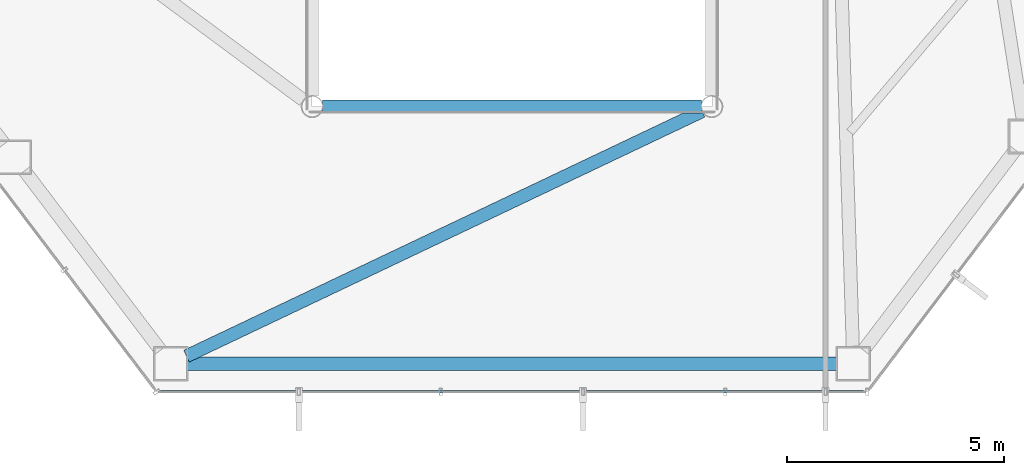
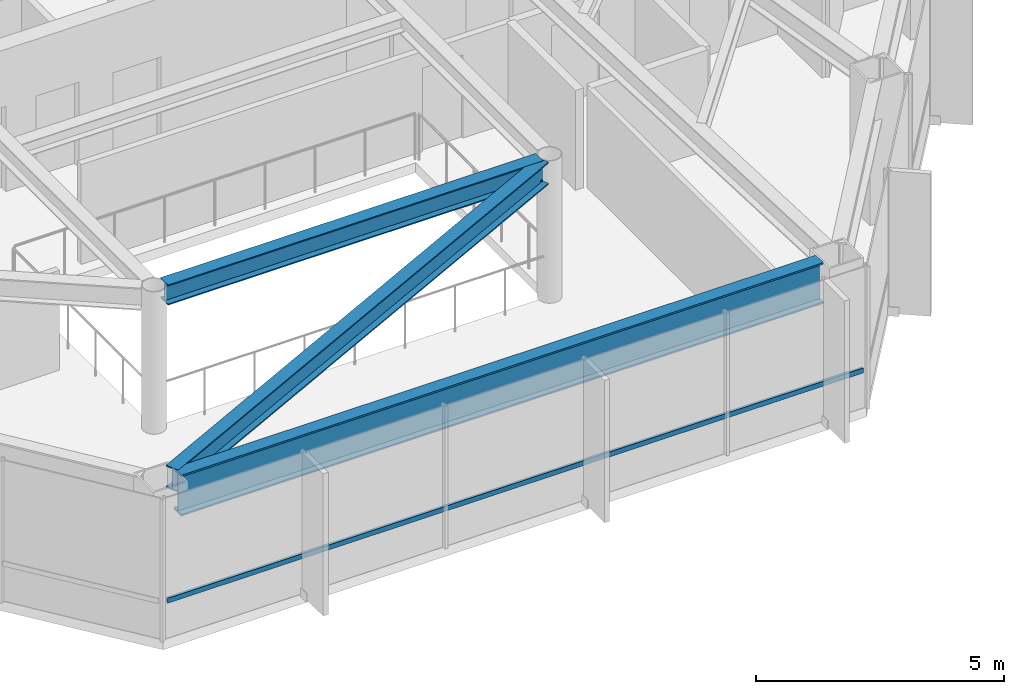
# One storey, part 7 of 28: 3 beams, 1 member, 1 element without a shape of its own.
"""IFC4 building model written with IfcOpenShell, lengths in metres."""

from ifc_helpers import new_model, si_unit, direction, frame, origin, origin_2d, place, context, subcontext, project, spatial, hollow_rectangle, i_section, extrude, material, layer, layer_set, material_profile, profile_set, type_object, element, aggregate, save


model = new_model("IFC4")

# Units and contexts
model_context = context("Model", 3, precision=1e-05, world=origin(), true_north=direction((0.0, 1.0)))
body_context = subcontext(model_context, "Body", "Model", "MODEL_VIEW")
ifc_project = project(units=[si_unit("LENGTHUNIT", "METRE"), si_unit("AREAUNIT", "SQUARE_METRE"), si_unit("VOLUMEUNIT", "CUBIC_METRE"), si_unit("PLANEANGLEUNIT", "RADIAN"), si_unit("MASSUNIT", "GRAM", prefix="KILO")], contexts=[model_context])

# Site, building, storey
site_placement = place(None, origin())
site = spatial("IfcSite", under=ifc_project, at=site_placement, CompositionType="ELEMENT")
building_placement = place(site_placement, origin())
building = spatial("IfcBuilding", under=site, at=building_placement, Name="Zarrinselat Tower", CompositionType="ELEMENT")
storey_placement = place(building_placement, frame((0.0, 0.0, 145.860107421875)))
storey = spatial("IfcBuildingStorey", under=building, at=storey_placement, Name="L35", CompositionType="ELEMENT", Elevation=145.860107421875)

# Beams
ifc_material_1 = material(Name="Steel S355J2", Category="steel")
ifc_material_profile_1 = material_profile(ifc_material_1, i_section(OverallWidth=0.300048828125, OverallDepth=0.5, WebThickness=0.014404296875, FlangeThickness=0.028076171875, at=origin_2d()), Name="HEB 500")
ifc_profile_set_1 = profile_set([ifc_material_profile_1], Name="Steel S355J2")
beam_type_1 = type_object("IfcBeamType", Name="BM-HEB500", PredefinedType="BEAM", material=ifc_profile_set_1)
beam_1_placement = place(storey_placement, frame((34.0400390625, 24.39990234375, 3.25), z_axis=(1.0, 0.0, 0.0), x_axis=(0.0, 1.0, 0.0)))
element("IfcBeam", 1, at=beam_1_placement, inside=storey, type_object=beam_type_1, Name="L35 Atrium Edge Beam S", PredefinedType="BEAM", context=body_context, shape_type="SweptSolid", body=[
    extrude(i_section(OverallWidth=0.300048828125, OverallDepth=0.5, WebThickness=0.014404296875, FlangeThickness=0.028076171875, at=origin_2d()), origin(), (0.0, 0.0, 1.0), 8.719970703125),
])
ifc_material_2 = material(Name="Steel S355J2", Category="steel")
ifc_material_profile_2 = material_profile(ifc_material_2, i_section(OverallWidth=0.300048828125, OverallDepth=0.550048828125, WebThickness=0.014892578125, FlangeThickness=0.029052734375, at=origin_2d()), Name="HEB 550")
ifc_profile_set_2 = profile_set([ifc_material_profile_2], Name="Steel S355J2")
beam_type_2 = type_object("IfcBeamType", Name="BM-HEB550", PredefinedType="BEAM", material=ifc_profile_set_2)
beam_2_placement = place(storey_placement, frame((30.905517578125, 18.654052734375, 3.224853515625), z_axis=(0.903246178465, 0.429122757597, 0.0), x_axis=(-0.429122757597, 0.903246178465, 0.0)))
element("IfcBeam", 2, at=beam_2_placement, inside=storey, type_object=beam_type_2, Name="L35 Radial Primary Girder RG10", PredefinedType="BEAM", context=body_context, shape_type="SweptSolid", body=[
    extrude(i_section(OverallWidth=0.300048828125, OverallDepth=0.550048828125, WebThickness=0.014892578125, FlangeThickness=0.029052734375, at=origin_2d()), origin(), (0.0, 0.0, 1.0), 13.139892578125),
])
ifc_material_3 = material(Name="Steel S460M", Category="steel")
ifc_material_profile_3 = material_profile(ifc_material_3, i_section(OverallWidth=0.302001953125, OverallDepth=1.008056640625, WebThickness=0.02099609375, FlangeThickness=0.0400390625, at=origin_2d()), Name="HEM 1000")
ifc_profile_set_3 = profile_set([ifc_material_profile_3], Name="Steel S460M")
beam_type_3 = type_object("IfcBeamType", Name="BM-HEM1000", PredefinedType="BEAM", material=ifc_profile_set_3)
beam_3_placement = place(storey_placement, frame((30.930419921875, 18.4814453125, 2.995849609375), z_axis=(1.0, 0.0, 0.0), x_axis=(0.0, 1.0, 0.0)))
element("IfcBeam", 3, at=beam_3_placement, inside=storey, type_object=beam_type_3, Name="L35 Perimeter Spandrel Girder SP10", PredefinedType="BEAM", context=body_context, shape_type="SweptSolid", body=[
    extrude(i_section(OverallWidth=0.302001953125, OverallDepth=1.008056640625, WebThickness=0.02099609375, FlangeThickness=0.0400390625, at=origin_2d()), origin(), (0.0, 0.0, 1.0), 14.93896484375),
])

# Curtain wall, member
ifc_material_4 = material(Name="Extruded Aluminium Alloy EN AW-6063 T6", Category="aluminium")
ifc_layer = layer(ifc_material_4, 0.175048828125)
ifc_layer_set = layer_set([ifc_layer], Name="Extruded Aluminium Alloy EN AW-6063 T6")
curtain_wall_type = type_object("IfcCurtainWallType", Name="CWS-HTL", PredefinedType="NOTDEFINED", material=ifc_layer_set)
curtain_wall_placement = place(storey_placement, origin())
curtain_wall = element("IfcCurtainWall", 4, at=curtain_wall_placement, inside=storey, type_object=curtain_wall_type, Name="L35 Unitised Curtain Wall CW-L35-E04", PredefinedType="NOTDEFINED")
ifc_material_5 = material(Name="Extruded Aluminium Alloy EN AW-6063 T6", Category="aluminium")
ifc_material_profile_4 = material_profile(ifc_material_5, hollow_rectangle(XDim=0.06005859375, YDim=0.1201171875, WallThickness=0.00390625, at=origin_2d()), Name="RHS 120x60x4")
ifc_profile_set_4 = profile_set([ifc_material_profile_4], Name="Extruded Aluminium Alloy EN AW-6063 T6")
member_type = type_object("IfcMemberType", Name="MEM-CW-TRN2", PredefinedType="USERDEFINED", material=ifc_profile_set_4)
member_placement = place(storey_placement, frame((30.3095703125, 17.83154296875, 0.949951171875), z_axis=(1.0, 0.0, 0.0), x_axis=(0.0, 1.0, 0.0)))
member = element("IfcMember", 5, at=member_placement, type_object=member_type, Name="CW-L35-E04 Transom 1", ObjectType="TRANSOM", PredefinedType="USERDEFINED", context=body_context, shape_type="SweptSolid", body=[
    extrude(hollow_rectangle(XDim=0.06005859375, YDim=0.1201171875, WallThickness=0.00390625, at=origin_2d()), origin(), (0.0, 0.0, 1.0), 16.180908203125),
])
aggregate(curtain_wall, [member])

save(model, "model.ifc")
